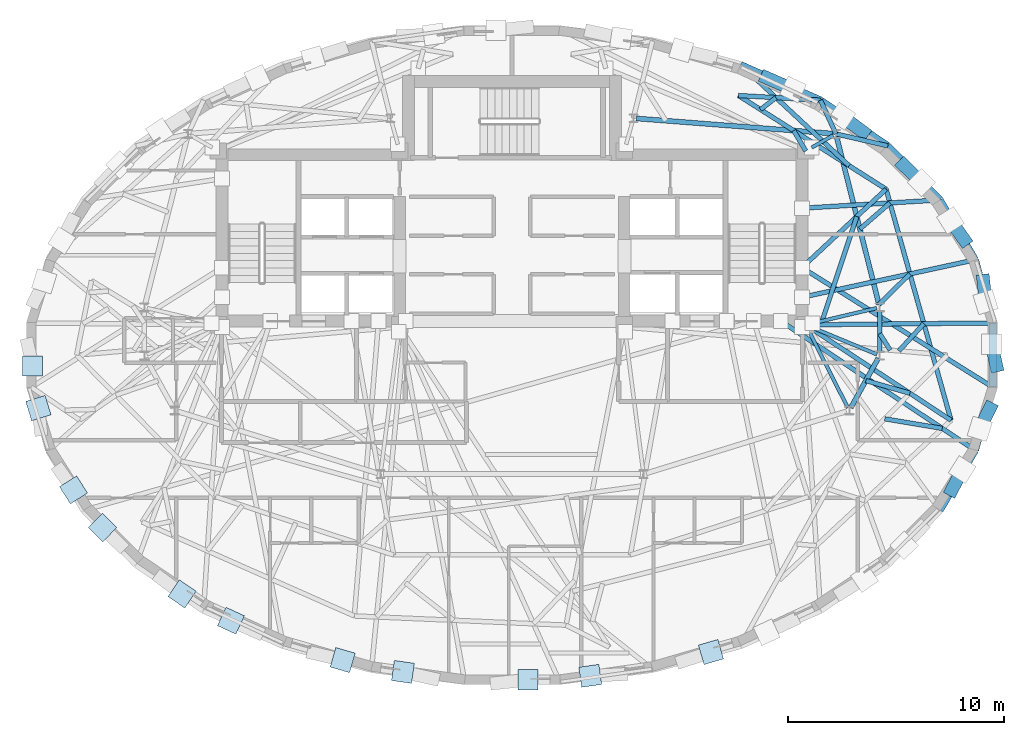
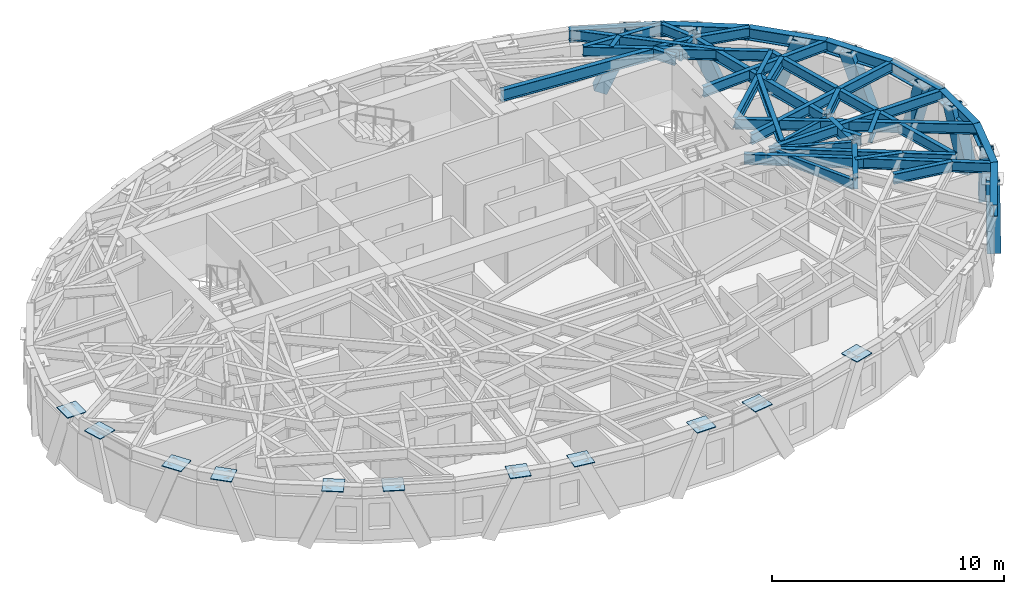
# One storey, part 4 of 12: 38 beams, 11 plates, 8 members.
"""IFC4 building model written with IfcOpenShell, lengths in metres."""

from ifc_helpers import new_model, si_unit, direction, frame, origin, origin_2d, place, context, subcontext, project, spatial, rectangle, hollow_rectangle, i_section, extrude, material, layer, layer_set, material_profile, profile_set, type_object, element, save


model = new_model("IFC4")

# Units and contexts
model_context = context("Model", 3, precision=1e-05, world=origin(), true_north=direction((0.0, 1.0)))
body_context = subcontext(model_context, "Body", "Model", "MODEL_VIEW")
ifc_project = project(units=[si_unit("LENGTHUNIT", "METRE"), si_unit("AREAUNIT", "SQUARE_METRE"), si_unit("VOLUMEUNIT", "CUBIC_METRE"), si_unit("PLANEANGLEUNIT", "RADIAN"), si_unit("MASSUNIT", "GRAM", prefix="KILO")], contexts=[model_context])

# Site, building, storey
site_placement = place(None, origin())
site = spatial("IfcSite", under=ifc_project, at=site_placement, CompositionType="ELEMENT")
building_placement = place(site_placement, origin())
building = spatial("IfcBuilding", under=site, at=building_placement, Name="Keldmark Tower", CompositionType="ELEMENT")
storey_placement = place(building_placement, frame((0.0, 0.0, 228.89990234375)))
storey = spatial("IfcBuildingStorey", under=building, at=storey_placement, Name="L64", CompositionType="ELEMENT", Elevation=228.89990234375)

# Members
ifc_material_1 = material(Name="Steel ASTM A572 Grade 50", Category="steel")
ifc_material_profile_1 = material_profile(ifc_material_1, hollow_rectangle(XDim=0.60009765625, YDim=0.60009765625, WallThickness=0.034912109375, at=origin_2d()), Name="BOX600X600X35")
ifc_profile_set_1 = profile_set([ifc_material_profile_1], Name="Steel ASTM A572 Grade 50")
member_type = type_object("IfcMemberType", Name="Diagrid Zone 4 Brace BOX600X600X35", PredefinedType="BRACE", material=ifc_profile_set_1)
member_1_placement = place(storey_placement, frame((21.820068359375, 3.453857421875, -0.260009765625), z_axis=(0.033243047941, -0.305387820185, 0.951647612852), x_axis=(0.994127413217, 0.108215924384, 0.0)))
element("IfcMember", 1, at=member_1_placement, inside=storey, type_object=member_type, Name="L64 Perimeter Diagrid Brace 01A", PredefinedType="BRACE", context=body_context, shape_type="SweptSolid", body=[
    extrude(hollow_rectangle(XDim=0.60009765625, YDim=0.60009765625, WallThickness=0.034912109375, at=origin_2d()), origin(), (0.0, 0.0, 1.0), 3.26806640625),
])
member_2_placement = place(storey_placement, frame((20.939453125, 5.33837890625, -0.260009765625), z_axis=(-0.193196922491, 0.273597020021, 0.942241805364), x_axis=(-0.816869929118, -0.57682191264, 0.0)))
element("IfcMember", 2, at=member_2_placement, inside=storey, type_object=member_type, Name="L64 Perimeter Diagrid Brace 01B", PredefinedType="BRACE", context=body_context, shape_type="SweptSolid", body=[
    extrude(hollow_rectangle(XDim=0.60009765625, YDim=0.60009765625, WallThickness=0.034912109375, at=origin_2d()), origin(), (0.0, 0.0, 1.0), 3.30078125),
])
member_3_placement = place(storey_placement, frame((18.126953125, 8.806396484375, -0.260009765625), z_axis=(0.250269331874, -0.246300302823, 0.936323353523), x_axis=(0.701432545153, 0.712735844896, 0.0)))
element("IfcMember", 3, at=member_3_placement, inside=storey, type_object=member_type, Name="L64 Perimeter Diagrid Brace 02A", PredefinedType="BRACE", context=body_context, shape_type="SweptSolid", body=[
    extrude(hollow_rectangle(XDim=0.60009765625, YDim=0.60009765625, WallThickness=0.034912109375, at=origin_2d()), origin(), (0.0, 0.0, 1.0), 3.321533203125),
])
member_4_placement = place(storey_placement, frame((16.268310546875, 10.322265625, -0.260009765625), z_axis=(-0.296561695455, 0.219813133679, 0.929372555572), x_axis=(-0.595468569724, -0.803378604689, 0.0)))
element("IfcMember", 4, at=member_4_placement, inside=storey, type_object=member_type, Name="L64 Perimeter Diagrid Brace 02B", PredefinedType="BRACE", context=body_context, shape_type="SweptSolid", body=[
    extrude(hollow_rectangle(XDim=0.60009765625, YDim=0.60009765625, WallThickness=0.034912109375, at=origin_2d()), origin(), (0.0, 0.0, 1.0), 3.346435546875),
])
member_5_placement = place(storey_placement, frame((11.77685546875, 12.84375, -0.260009765625), z_axis=(0.364814117279, -0.16026765839, 0.917183153742), x_axis=(0.402211742403, 0.915546675093, 0.0)))
element("IfcMember", 5, at=member_5_placement, inside=storey, type_object=member_type, Name="L64 Perimeter Diagrid Brace 03A", PredefinedType="BRACE", context=body_context, shape_type="SweptSolid", body=[
    extrude(hollow_rectangle(XDim=0.60009765625, YDim=0.60009765625, WallThickness=0.034912109375, at=origin_2d()), origin(), (0.0, 0.0, 1.0), 3.390869140625),
])
member_6_placement = place(storey_placement, frame((20.363525390625, -6.24462890625, -0.260009765625), z_axis=(0.148062776299, 0.285496548075, 0.946873347028), x_axis=(-0.887719549049, 0.46038462424, 0.0)))
element("IfcMember", 6, at=member_6_placement, inside=storey, type_object=member_type, Name="L64 Perimeter Diagrid Brace 15B", PredefinedType="BRACE", context=body_context, shape_type="SweptSolid", body=[
    extrude(hollow_rectangle(XDim=0.60009765625, YDim=0.60009765625, WallThickness=0.034912109375, at=origin_2d()), origin(), (0.0, 0.0, 1.0), 3.28466796875),
])
member_7_placement = place(storey_placement, frame((22.12451171875, -2.46337890625, -0.260009765625), z_axis=(-0.141358796309, -0.290814339228, 0.946279404196), x_axis=(0.89937914481, -0.437169479585, 0.0)))
element("IfcMember", 7, at=member_7_placement, inside=storey, type_object=member_type, Name="L64 Perimeter Diagrid Brace 16A", PredefinedType="BRACE", context=body_context, shape_type="SweptSolid", body=[
    extrude(hollow_rectangle(XDim=0.60009765625, YDim=0.60009765625, WallThickness=0.034912109375, at=origin_2d()), origin(), (0.0, 0.0, 1.0), 3.28662109375),
])
member_8_placement = place(storey_placement, frame((22.424560546875, -0.49462890625, -0.260009765625), z_axis=(-0.06868989511, 0.30429399788, 0.950098342891), x_axis=(-0.975455912888, -0.220194827395, 0.0)))
element("IfcMember", 8, at=member_8_placement, inside=storey, type_object=member_type, Name="L64 Perimeter Diagrid Brace 16B", PredefinedType="BRACE", context=body_context, shape_type="SweptSolid", body=[
    extrude(hollow_rectangle(XDim=0.60009765625, YDim=0.60009765625, WallThickness=0.034912109375, at=origin_2d()), origin(), (0.0, 0.0, 1.0), 3.2734375),
])

# Beams
ifc_material_2 = material(Name="Steel ASTM A992 Grade 50", Category="steel")
ifc_material_profile_2 = material_profile(ifc_material_2, i_section(OverallWidth=0.22802734375, OverallDepth=0.60302734375, WebThickness=0.010498046875, FlangeThickness=0.014892578125, at=origin_2d()), Name="W24X68")
ifc_profile_set_2 = profile_set([ifc_material_profile_2], Name="Steel ASTM A992 Grade 50")
beam_type_1 = type_object("IfcBeamType", Name="Primary Floor Girder W24X68", PredefinedType="BEAM", material=ifc_profile_set_2)
beam_1_placement = place(storey_placement, frame((16.9912109375, 2.34375, 2.668701171875), z_axis=(-0.244902129455, 0.969547805417, 0.0), x_axis=(-0.969547805417, -0.244902129455, 0.0)))
element("IfcBeam", 9, at=beam_1_placement, inside=storey, type_object=beam_type_1, Name="L64 Floor Ring Girder FG-R01", PredefinedType="BEAM", context=body_context, shape_type="SweptSolid", body=[
    extrude(i_section(OverallWidth=0.22802734375, OverallDepth=0.60302734375, WebThickness=0.010498046875, FlangeThickness=0.014892578125, at=origin_2d()), origin(), (0.0, 0.0, 1.0), 8.008056640625),
])
beam_2_placement = place(storey_placement, frame((14.856201171875, 10.25439453125, 2.668701171875), z_axis=(-0.997037147832, 0.076921556421, 0.0), x_axis=(-0.076921556421, -0.997037147832, 0.0)))
element("IfcBeam", 10, at=beam_2_placement, inside=storey, type_object=beam_type_1, Name="L64 Floor Ring Girder FG-R02", PredefinedType="BEAM", context=body_context, shape_type="SweptSolid", body=[
    extrude(i_section(OverallWidth=0.22802734375, OverallDepth=0.60302734375, WebThickness=0.010498046875, FlangeThickness=0.014892578125, at=origin_2d()), origin(), (0.0, 0.0, 1.0), 9.125),
])
beam_3_placement = place(storey_placement, frame((15.68408203125, -2.44482421875, 2.668701171875), z_axis=(0.484719680408, 0.874669555561, 0.0), x_axis=(-0.874669555561, 0.484719680408, 0.0)))
element("IfcBeam", 11, at=beam_3_placement, inside=storey, type_object=beam_type_1, Name="L64 Floor Ring Girder FG-R11", PredefinedType="BEAM", context=body_context, shape_type="SweptSolid", body=[
    extrude(i_section(OverallWidth=0.22802734375, OverallDepth=0.60302734375, WebThickness=0.010498046875, FlangeThickness=0.014892578125, at=origin_2d()), origin(), (0.0, 0.0, 1.0), 2.627685546875),
])
beam_4_placement = place(storey_placement, frame((17.025634765625, 0.115966796875, 2.668701171875), z_axis=(0.0, 1.0, 0.0), x_axis=(-1.0, 0.0, 0.0)))
element("IfcBeam", 12, at=beam_4_placement, inside=storey, type_object=beam_type_1, Name="L64 Floor Ring Girder FG-R12", PredefinedType="BEAM", context=body_context, shape_type="SweptSolid", body=[
    extrude(i_section(OverallWidth=0.22802734375, OverallDepth=0.60302734375, WebThickness=0.010498046875, FlangeThickness=0.014892578125, at=origin_2d()), origin(), (0.0, 0.0, 1.0), 1.9521484375),
])
ifc_material_3 = material(Name="Steel ASTM A992 Grade 50", Category="steel")
ifc_material_profile_3 = material_profile(ifc_material_3, i_section(OverallWidth=0.166015625, OverallDepth=0.529052734375, WebThickness=0.009765625, FlangeThickness=0.013671875, at=origin_2d()), Name="W21X50")
ifc_profile_set_3 = profile_set([ifc_material_profile_3], Name="Steel ASTM A992 Grade 50")
beam_type_2 = type_object("IfcBeamType", Name="Radial Tie Girder W21X50", PredefinedType="BEAM", material=ifc_profile_set_3)
beam_5_placement = place(storey_placement, frame((16.889404296875, 2.17578125, 2.70556640625), z_axis=(-0.97329039005, -0.229577474147, 0.0), x_axis=(0.229577474147, -0.97329039005, 0.0)))
element("IfcBeam", 13, at=beam_5_placement, inside=storey, type_object=beam_type_2, Name="L64 Floor Radial Girder FG-C01", PredefinedType="BEAM", context=body_context, shape_type="SweptSolid", body=[
    extrude(i_section(OverallWidth=0.166015625, OverallDepth=0.529052734375, WebThickness=0.009765625, FlangeThickness=0.013671875, at=origin_2d()), origin(), (0.0, 0.0, 1.0), 3.0595703125),
])
beam_6_placement = place(storey_placement, frame((14.8740234375, 10.174560546875, 2.70556640625), z_axis=(-0.869238046195, -0.494393789451, 0.0), x_axis=(0.494393789451, -0.869238046195, 0.0)))
element("IfcBeam", 14, at=beam_6_placement, inside=storey, type_object=beam_type_2, Name="L64 Floor Radial Girder FG-C02", PredefinedType="BEAM", context=body_context, shape_type="SweptSolid", body=[
    extrude(i_section(OverallWidth=0.166015625, OverallDepth=0.529052734375, WebThickness=0.009765625, FlangeThickness=0.013671875, at=origin_2d()), origin(), (0.0, 0.0, 1.0), 1.145751953125),
])
beam_7_placement = place(storey_placement, frame((15.552734375, -2.442626953125, 2.70556640625), z_axis=(-0.453004410574, 0.89150827478, 0.0), x_axis=(-0.89150827478, -0.453004410574, 0.0)))
element("IfcBeam", 15, at=beam_7_placement, inside=storey, type_object=beam_type_2, Name="L64 Floor Radial Girder FG-C11", PredefinedType="BEAM", context=body_context, shape_type="SweptSolid", body=[
    extrude(i_section(OverallWidth=0.166015625, OverallDepth=0.529052734375, WebThickness=0.009765625, FlangeThickness=0.013671875, at=origin_2d()), origin(), (0.0, 0.0, 1.0), 3.990234375),
])
beam_8_placement = place(storey_placement, frame((16.896240234375, 0.02978515625, 2.70556640625), z_axis=(-0.923403331902, 0.383831065226, 0.0), x_axis=(-0.383831065226, -0.923403331902, 0.0)))
element("IfcBeam", 16, at=beam_8_placement, inside=storey, type_object=beam_type_2, Name="L64 Floor Radial Girder FG-C12", PredefinedType="BEAM", context=body_context, shape_type="SweptSolid", body=[
    extrude(i_section(OverallWidth=0.166015625, OverallDepth=0.529052734375, WebThickness=0.009765625, FlangeThickness=0.013671875, at=origin_2d()), origin(), (0.0, 0.0, 1.0), 3.249755859375),
])
ifc_material_4 = material(Name="Steel ASTM A992 Grade 50", Category="steel")
ifc_material_profile_4 = material_profile(ifc_material_4, i_section(OverallWidth=0.2099609375, OverallDepth=0.537109375, WebThickness=0.010986328125, FlangeThickness=0.017333984375, at=origin_2d()), Name="W21X68")
ifc_profile_set_4 = profile_set([ifc_material_profile_4], Name="Steel ASTM A992 Grade 50")
beam_type_3 = type_object("IfcBeamType", Name="Radial Tie Girder W21X68", PredefinedType="BEAM", material=ifc_profile_set_4)
beam_9_placement = place(storey_placement, frame((17.025634765625, 0.994384765625, 2.70166015625), z_axis=(0.533027996097, -0.846097603931, 0.0), x_axis=(0.846097603931, 0.533027996097, 0.0)))
element("IfcBeam", 17, at=beam_9_placement, inside=storey, type_object=beam_type_3, Name="L64 Framing Pin Header PH-006", PredefinedType="BEAM", context=body_context, shape_type="SweptSolid", body=[
    extrude(i_section(OverallWidth=0.2099609375, OverallDepth=0.537109375, WebThickness=0.010986328125, FlangeThickness=0.017333984375, at=origin_2d()), origin(), (0.0, 0.0, 1.0), 0.904541015625),
])
beam_10_placement = place(storey_placement, frame((14.358154296875, 1.578857421875, 2.70166015625), z_axis=(0.314948136433, 0.949108882772, 0.0), x_axis=(-0.949108882772, 0.314948136433, 0.0)))
element("IfcBeam", 18, at=beam_10_placement, inside=storey, type_object=beam_type_3, Name="L64 Framing Pin Header PH-007", PredefinedType="BEAM", context=body_context, shape_type="SweptSolid", body=[
    extrude(i_section(OverallWidth=0.2099609375, OverallDepth=0.537109375, WebThickness=0.010986328125, FlangeThickness=0.017333984375, at=origin_2d()), origin(), (0.0, 0.0, 1.0), 5.09521484375),
])
beam_11_placement = place(storey_placement, frame((13.425048828125, 4.050048828125, 2.70166015625), z_axis=(0.731628226605, 0.681703849215, 0.0), x_axis=(-0.681703849215, 0.731628226605, 0.0)))
element("IfcBeam", 19, at=beam_11_placement, inside=storey, type_object=beam_type_3, Name="L64 Sub-Ring Step Girder STP2-M01", PredefinedType="BEAM", context=body_context, shape_type="SweptSolid", body=[
    extrude(i_section(OverallWidth=0.2099609375, OverallDepth=0.537109375, WebThickness=0.010986328125, FlangeThickness=0.017333984375, at=origin_2d()), origin(), (0.0, 0.0, 1.0), 5.325439453125),
])
beam_12_placement = place(storey_placement, frame((16.384521484375, -1.180908203125, 2.70166015625), z_axis=(0.960843624948, -0.277091191482, 0.0), x_axis=(0.277091191482, 0.960843624948, 0.0)))
element("IfcBeam", 20, at=beam_12_placement, inside=storey, type_object=beam_type_3, Name="L64 Framing Pin Header PH-012", PredefinedType="BEAM", context=body_context, shape_type="SweptSolid", body=[
    extrude(i_section(OverallWidth=0.2099609375, OverallDepth=0.537109375, WebThickness=0.010986328125, FlangeThickness=0.017333984375, at=origin_2d()), origin(), (0.0, 0.0, 1.0), 2.12158203125),
])
beam_13_placement = place(storey_placement, frame((13.60009765625, 1.39990234375, 2.70166015625), z_axis=(0.835768705705, -0.549081661107, 0.0), x_axis=(0.549081661107, 0.835768705705, 0.0)))
element("IfcBeam", 21, at=beam_13_placement, inside=storey, type_object=beam_type_3, Name="L64 Sub-Ring Step Girder STP2-M12", PredefinedType="BEAM", context=body_context, shape_type="SweptSolid", body=[
    extrude(i_section(OverallWidth=0.2099609375, OverallDepth=0.537109375, WebThickness=0.010986328125, FlangeThickness=0.017333984375, at=origin_2d()), origin(), (0.0, 0.0, 1.0), 8.050048828125),
])
beam_14_placement = place(storey_placement, frame((20.328125, -3.020263671875, 2.70166015625), z_axis=(-0.270517851545, 0.962714958851, 0.0), x_axis=(-0.962714958851, -0.270517851545, 0.0)))
element("IfcBeam", 22, at=beam_14_placement, inside=storey, type_object=beam_type_3, Name="L64 Perimeter Collector Ring Beam CRG2-M12", PredefinedType="BEAM", context=body_context, shape_type="SweptSolid", body=[
    extrude(i_section(OverallWidth=0.2099609375, OverallDepth=0.537109375, WebThickness=0.010986328125, FlangeThickness=0.017333984375, at=origin_2d()), origin(), (0.0, 0.0, 1.0), 11.114990234375),
])
beam_15_placement = place(storey_placement, frame((17.915283203125, 0.193603515625, 2.70166015625), z_axis=(0.675530710763, 0.737331851215, 0.0), x_axis=(-0.737331851215, 0.675530710763, 0.0)))
element("IfcBeam", 23, at=beam_15_placement, inside=storey, type_object=beam_type_3, Name="L64 Framing Pin Header PH-013", PredefinedType="BEAM", context=body_context, shape_type="SweptSolid", body=[
    extrude(i_section(OverallWidth=0.2099609375, OverallDepth=0.537109375, WebThickness=0.010986328125, FlangeThickness=0.017333984375, at=origin_2d()), origin(), (0.0, 0.0, 1.0), 1.71044921875),
])
beam_16_placement = place(storey_placement, frame((13.60009765625, 1.39990234375, 2.70166015625), z_axis=(0.999949630947, 0.010036711081, 0.0), x_axis=(-0.010036711081, 0.999949630947, 0.0)))
element("IfcBeam", 24, at=beam_16_placement, inside=storey, type_object=beam_type_3, Name="L64 Perimeter Radial Tie Girder RT-01", PredefinedType="BEAM", context=body_context, shape_type="SweptSolid", body=[
    extrude(i_section(OverallWidth=0.2099609375, OverallDepth=0.537109375, WebThickness=0.010986328125, FlangeThickness=0.017333984375, at=origin_2d()), origin(), (0.0, 0.0, 1.0), 8.65966796875),
])
beam_17_placement = place(storey_placement, frame((16.9912109375, 2.34375, 2.70166015625), z_axis=(0.711821877306, 0.702360032311, 0.0), x_axis=(-0.702360032311, 0.711821877306, 0.0)))
element("IfcBeam", 25, at=beam_17_placement, inside=storey, type_object=beam_type_3, Name="L64 Framing Pin Header PH-014", PredefinedType="BEAM", context=body_context, shape_type="SweptSolid", body=[
    extrude(i_section(OverallWidth=0.2099609375, OverallDepth=0.537109375, WebThickness=0.010986328125, FlangeThickness=0.017333984375, at=origin_2d()), origin(), (0.0, 0.0, 1.0), 2.0126953125),
])
beam_18_placement = place(storey_placement, frame((13.425048828125, 2.675048828125, 2.70166015625), z_axis=(0.97735883169, 0.211588549118, 0.0), x_axis=(-0.211588549118, 0.97735883169, 0.0)))
element("IfcBeam", 26, at=beam_18_placement, inside=storey, type_object=beam_type_3, Name="L64 Perimeter Radial Tie Girder RT-02", PredefinedType="BEAM", context=body_context, shape_type="SweptSolid", body=[
    extrude(i_section(OverallWidth=0.2099609375, OverallDepth=0.537109375, WebThickness=0.010986328125, FlangeThickness=0.017333984375, at=origin_2d()), origin(), (0.0, 0.0, 1.0), 8.207275390625),
])
beam_19_placement = place(storey_placement, frame((16.10888671875, 5.837646484375, 2.70166015625), z_axis=(0.755566585606, 0.65507185462, 0.0), x_axis=(-0.65507185462, 0.755566585606, 0.0)))
element("IfcBeam", 27, at=beam_19_placement, inside=storey, type_object=beam_type_3, Name="L64 Framing Pin Header PH-015", PredefinedType="BEAM", context=body_context, shape_type="SweptSolid", body=[
    extrude(i_section(OverallWidth=0.2099609375, OverallDepth=0.537109375, WebThickness=0.010986328125, FlangeThickness=0.017333984375, at=origin_2d()), origin(), (0.0, 0.0, 1.0), 1.841552734375),
])
beam_20_placement = place(storey_placement, frame((13.425048828125, 6.800048828125, 2.70166015625), z_axis=(0.998212816462, 0.059759292584, 0.0), x_axis=(-0.059759292584, 0.998212816462, 0.0)))
element("IfcBeam", 28, at=beam_20_placement, inside=storey, type_object=beam_type_3, Name="L64 Perimeter Radial Tie Girder RT-03", PredefinedType="BEAM", context=body_context, shape_type="SweptSolid", body=[
    extrude(i_section(OverallWidth=0.2099609375, OverallDepth=0.537109375, WebThickness=0.010986328125, FlangeThickness=0.017333984375, at=origin_2d()), origin(), (0.0, 0.0, 1.0), 6.40185546875),
])
beam_21_placement = place(storey_placement, frame((14.995849609375, 10.24365234375, 2.70166015625), z_axis=(0.974134108933, -0.225970656976, 0.0), x_axis=(0.225970656976, 0.974134108933, 0.0)))
element("IfcBeam", 29, at=beam_21_placement, inside=storey, type_object=beam_type_3, Name="L64 Perimeter Column Bracket RT-04", PredefinedType="BEAM", context=body_context, shape_type="SweptSolid", body=[
    extrude(i_section(OverallWidth=0.2099609375, OverallDepth=0.537109375, WebThickness=0.010986328125, FlangeThickness=0.017333984375, at=origin_2d()), origin(), (0.0, 0.0, 1.0), 2.470947265625),
])
beam_22_placement = place(storey_placement, frame((14.995849609375, 10.24365234375, 2.70166015625), z_axis=(-0.41658112368, 0.90909854658, 0.0), x_axis=(-0.90909854658, -0.41658112368, 0.0)))
element("IfcBeam", 30, at=beam_22_placement, inside=storey, type_object=beam_type_3, Name="L64 Perimeter Column Bracket RT-05", PredefinedType="BEAM", context=body_context, shape_type="SweptSolid", body=[
    extrude(i_section(OverallWidth=0.2099609375, OverallDepth=0.537109375, WebThickness=0.010986328125, FlangeThickness=0.017333984375, at=origin_2d()), origin(), (0.0, 0.0, 1.0), 1.713623046875),
])
beam_23_placement = place(storey_placement, frame((13.60009765625, 9.449951171875, 2.70166015625), z_axis=(-0.507963836752, 0.861378395685, 0.0), x_axis=(-0.861378395685, -0.507963836752, 0.0)))
element("IfcBeam", 31, at=beam_23_placement, inside=storey, type_object=beam_type_3, Name="L64 Framing Pin Header PH-016", PredefinedType="BEAM", context=body_context, shape_type="SweptSolid", body=[
    extrude(i_section(OverallWidth=0.2099609375, OverallDepth=0.537109375, WebThickness=0.010986328125, FlangeThickness=0.017333984375, at=origin_2d()), origin(), (0.0, 0.0, 1.0), 1.09619140625),
])
beam_24_placement = place(storey_placement, frame((17.3212890625, 7.680419921875, 2.70166015625), z_axis=(-0.844431424913, 0.535663671178, 0.0), x_axis=(-0.535663671178, -0.844431424913, 0.0)))
element("IfcBeam", 32, at=beam_24_placement, inside=storey, type_object=beam_type_3, Name="L64 Intermediate Radial Step Girder RT-06M", PredefinedType="BEAM", context=body_context, shape_type="SweptSolid", body=[
    extrude(i_section(OverallWidth=0.2099609375, OverallDepth=0.537109375, WebThickness=0.010986328125, FlangeThickness=0.017333984375, at=origin_2d()), origin(), (0.0, 0.0, 1.0), 8.09912109375),
])
beam_25_placement = place(storey_placement, frame((14.281982421875, 11.801513671875, 2.70166015625), z_axis=(-0.998369037093, 0.057089979633, 0.0), x_axis=(-0.057089979633, -0.998369037093, 0.0)))
element("IfcBeam", 33, at=beam_25_placement, inside=storey, type_object=beam_type_3, Name="L64 Local Collector Chord RT-06C", PredefinedType="BEAM", context=body_context, shape_type="SweptSolid", body=[
    extrude(i_section(OverallWidth=0.2099609375, OverallDepth=0.537109375, WebThickness=0.010986328125, FlangeThickness=0.017333984375, at=origin_2d()), origin(), (0.0, 0.0, 1.0), 3.805908203125),
])
beam_26_placement = place(storey_placement, frame((11.508056640625, 11.3681640625, 2.70166015625), z_axis=(0.791909345829, 0.610638672202, 0.0), x_axis=(-0.610638672202, 0.791909345829, 0.0)))
element("IfcBeam", 34, at=beam_26_placement, inside=storey, type_object=beam_type_3, Name="L64 Framing Pin Header PH-017", PredefinedType="BEAM", context=body_context, shape_type="SweptSolid", body=[
    extrude(i_section(OverallWidth=0.2099609375, OverallDepth=0.537109375, WebThickness=0.010986328125, FlangeThickness=0.017333984375, at=origin_2d()), origin(), (0.0, 0.0, 1.0), 0.90234375),
])
beam_27_placement = place(storey_placement, frame((15.611572265625, 8.764892578125, 2.70166015625), z_axis=(-0.731981514109, 0.681324491709, 0.0), x_axis=(-0.681324491709, -0.731981514109, 0.0)))
element("IfcBeam", 35, at=beam_27_placement, inside=storey, type_object=beam_type_3, Name="L64 Perimeter Radial Tie Girder RT-06", PredefinedType="BEAM", context=body_context, shape_type="SweptSolid", body=[
    extrude(i_section(OverallWidth=0.2099609375, OverallDepth=0.537109375, WebThickness=0.010986328125, FlangeThickness=0.017333984375, at=origin_2d()), origin(), (0.0, 0.0, 1.0), 6.858154296875),
])
beam_28_placement = place(storey_placement, frame((17.26171875, -2.950927734375, 2.70166015625), z_axis=(0.986192637827, -0.165602177209, 0.0), x_axis=(0.165602177209, 0.986192637827, 0.0)))
element("IfcBeam", 36, at=beam_28_placement, inside=storey, type_object=beam_type_3, Name="L64 Framing Pin Header PH-035", PredefinedType="BEAM", context=body_context, shape_type="SweptSolid", body=[
    extrude(i_section(OverallWidth=0.2099609375, OverallDepth=0.537109375, WebThickness=0.010986328125, FlangeThickness=0.017333984375, at=origin_2d()), origin(), (0.0, 0.0, 1.0), 2.697998046875),
])
beam_29_placement = place(storey_placement, frame((12.4462890625, 1.574951171875, 2.70166015625), z_axis=(0.832630123585, -0.5538294659, 0.0), x_axis=(0.5538294659, 0.832630123585, 0.0)))
element("IfcBeam", 37, at=beam_29_placement, inside=storey, type_object=beam_type_3, Name="L64 Perimeter Radial Tie Girder RT-31", PredefinedType="BEAM", context=body_context, shape_type="SweptSolid", body=[
    extrude(i_section(OverallWidth=0.2099609375, OverallDepth=0.537109375, WebThickness=0.010986328125, FlangeThickness=0.017333984375, at=origin_2d()), origin(), (0.0, 0.0, 1.0), 10.809326171875),
])
beam_30_placement = place(storey_placement, frame((13.425048828125, 4.050048828125, 2.70166015625), z_axis=(0.847330653303, -0.53106568706, 0.0), x_axis=(0.53106568706, 0.847330653303, 0.0)))
element("IfcBeam", 38, at=beam_30_placement, inside=storey, type_object=beam_type_3, Name="L64 Perimeter Radial Tie Girder RT-32", PredefinedType="BEAM", context=body_context, shape_type="SweptSolid", body=[
    extrude(i_section(OverallWidth=0.2099609375, OverallDepth=0.537109375, WebThickness=0.010986328125, FlangeThickness=0.017333984375, at=origin_2d()), origin(), (0.0, 0.0, 1.0), 10.426025390625),
])
ifc_material_5 = material(Name="Steel ASTM A992 Grade 50", Category="steel")
ifc_material_profile_5 = material_profile(ifc_material_5, i_section(OverallWidth=0.326904296875, OverallDepth=0.6220703125, WebThickness=0.015380859375, FlangeThickness=0.0244140625, at=origin_2d()), Name="W24X131")
ifc_profile_set_5 = profile_set([ifc_material_profile_5], Name="Steel ASTM A992 Grade 50")
beam_type_4 = type_object("IfcBeamType", Name="Spandrel Ring Beam W24X131", PredefinedType="SPANDREL", material=ifc_profile_set_5)
beam_31_placement = place(storey_placement, frame((22.25927734375, 1.48681640625, 2.6591796875), z_axis=(-0.26773511856, 0.963492556427, 0.0), x_axis=(-0.963492556427, -0.26773511856, 0.0)))
element("IfcBeam", 39, at=beam_31_placement, inside=storey, type_object=beam_type_4, Name="L64 Perimeter Spandrel Ring Beam SRB-01", PredefinedType="SPANDREL", context=body_context, shape_type="SweptSolid", body=[
    extrude(i_section(OverallWidth=0.326904296875, OverallDepth=0.6220703125, WebThickness=0.015380859375, FlangeThickness=0.0244140625, at=origin_2d()), origin(), (0.0, 0.0, 1.0), 3.03564453125),
])
beam_32_placement = place(storey_placement, frame((21.446533203125, 4.41162109375, 2.6591796875), z_axis=(-0.507275605256, 0.861783882601, 0.0), x_axis=(-0.861783882601, -0.507275605256, 0.0)))
element("IfcBeam", 40, at=beam_32_placement, inside=storey, type_object=beam_type_4, Name="L64 Perimeter Spandrel Ring Beam SRB-02", PredefinedType="SPANDREL", context=body_context, shape_type="SweptSolid", body=[
    extrude(i_section(OverallWidth=0.326904296875, OverallDepth=0.6220703125, WebThickness=0.015380859375, FlangeThickness=0.0244140625, at=origin_2d()), origin(), (0.0, 0.0, 1.0), 3.21533203125),
])
beam_33_placement = place(storey_placement, frame((19.8154296875, 7.1826171875, 2.6591796875), z_axis=(-0.694030285144, 0.71994580581, 0.0), x_axis=(-0.71994580581, -0.694030285144, 0.0)))
element("IfcBeam", 41, at=beam_33_placement, inside=storey, type_object=beam_type_4, Name="L64 Perimeter Spandrel Ring Beam SRB-03", PredefinedType="SPANDREL", context=body_context, shape_type="SweptSolid", body=[
    extrude(i_section(OverallWidth=0.326904296875, OverallDepth=0.6220703125, WebThickness=0.015380859375, FlangeThickness=0.0244140625, at=origin_2d()), origin(), (0.0, 0.0, 1.0), 3.476318359375),
])
beam_34_placement = place(storey_placement, frame((17.40283203125, 9.685302734375, 2.6591796875), z_axis=(-0.827661601168, 0.561227470775, 0.0), x_axis=(-0.561227470775, -0.827661601168, 0.0)))
element("IfcBeam", 42, at=beam_34_placement, inside=storey, type_object=beam_type_4, Name="L64 Perimeter Spandrel Ring Beam SRB-04", PredefinedType="SPANDREL", context=body_context, shape_type="SweptSolid", body=[
    extrude(i_section(OverallWidth=0.326904296875, OverallDepth=0.6220703125, WebThickness=0.015380859375, FlangeThickness=0.0244140625, at=origin_2d()), origin(), (0.0, 0.0, 1.0), 3.770751953125),
])
beam_35_placement = place(storey_placement, frame((14.281982421875, 11.801513671875, 2.6591796875), z_axis=(-0.914197700285, 0.405268509501, 0.0), x_axis=(-0.405268509501, -0.914197700285, 0.0)))
element("IfcBeam", 43, at=beam_35_placement, inside=storey, type_object=beam_type_4, Name="L64 Perimeter Spandrel Ring Beam SRB-05", PredefinedType="SPANDREL", context=body_context, shape_type="SweptSolid", body=[
    extrude(i_section(OverallWidth=0.326904296875, OverallDepth=0.6220703125, WebThickness=0.015380859375, FlangeThickness=0.0244140625, at=origin_2d()), origin(), (0.0, 0.0, 1.0), 4.036865234375),
])
beam_36_placement = place(storey_placement, frame((19.8154296875, -7.1826171875, 2.6591796875), z_axis=(0.507275605256, 0.861783882601, 0.0), x_axis=(-0.861783882601, 0.507275605256, 0.0)))
element("IfcBeam", 44, at=beam_36_placement, inside=storey, type_object=beam_type_4, Name="L64 Perimeter Spandrel Ring Beam SRB-30", PredefinedType="SPANDREL", context=body_context, shape_type="SweptSolid", body=[
    extrude(i_section(OverallWidth=0.326904296875, OverallDepth=0.6220703125, WebThickness=0.015380859375, FlangeThickness=0.0244140625, at=origin_2d()), origin(), (0.0, 0.0, 1.0), 3.21533203125),
])
beam_37_placement = place(storey_placement, frame((21.446533203125, -4.41162109375, 2.6591796875), z_axis=(0.26773511856, 0.963492556427, 0.0), x_axis=(-0.963492556427, 0.26773511856, 0.0)))
element("IfcBeam", 45, at=beam_37_placement, inside=storey, type_object=beam_type_4, Name="L64 Perimeter Spandrel Ring Beam SRB-31", PredefinedType="SPANDREL", context=body_context, shape_type="SweptSolid", body=[
    extrude(i_section(OverallWidth=0.326904296875, OverallDepth=0.6220703125, WebThickness=0.015380859375, FlangeThickness=0.0244140625, at=origin_2d()), origin(), (0.0, 0.0, 1.0), 3.03564453125),
])
beam_38_placement = place(storey_placement, frame((22.25927734375, -1.48681640625, 2.6591796875), z_axis=(0.0, 1.0, 0.0), x_axis=(-1.0, 0.0, 0.0)))
element("IfcBeam", 46, at=beam_38_placement, inside=storey, type_object=beam_type_4, Name="L64 Perimeter Spandrel Ring Beam SRB-32", PredefinedType="SPANDREL", context=body_context, shape_type="SweptSolid", body=[
    extrude(i_section(OverallWidth=0.326904296875, OverallDepth=0.6220703125, WebThickness=0.015380859375, FlangeThickness=0.0244140625, at=origin_2d()), origin(), (0.0, 0.0, 1.0), 2.9736328125),
])

# Plates
ifc_material_6 = material(Name="Steel ASTM A572 Grade 50", Category="steel")
ifc_layer = layer(ifc_material_6, 0.0400390625)
ifc_layer_set = layer_set([ifc_layer], Name="Steel ASTM A572 Grade 50")
plate_type = type_object("IfcPlateType", Name="Diagrid Node Assembly DN05 40 mm", PredefinedType="USERDEFINED", material=ifc_layer_set)
for number, where, z_axis, x_axis, name in (
    (47, (-22.19970703125, -0.50146484375, 2.830078125), (0.0, 0.0, 1.0), (0.0, -1.0, 0.0), "L64 Diagrid Node Assembly 16"),
    (48, (-21.9287109375, -2.455810546875, 2.830078125), (0.0, 0.0, 1.0), (0.295041067928, -0.955484572474, 0.0), "L64 Diagrid Node Assembly 17"),
    (49, (-20.3017578125, -6.241455078125, 2.830078125), (0.0, 0.0, 1.0), (0.534942323205, -0.844888578952, 0.0), "L64 Diagrid Node Assembly 18"),
    (50, (-18.958251953125, -7.98828125, 2.830078125), (0.0, 0.0, 1.0), (0.709570736537, -0.704634209964, 0.0), "L64 Diagrid Node Assembly 19"),
    (51, (-15.27587890625, -11.057861328125, 2.830078125), (0.0, 0.0, 1.0), (0.827668733006, -0.561216953062, 0.0), "L64 Diagrid Node Assembly 20"),
    (52, (-13.013916015625, -12.30029296875, 2.830078125), (0.0, 0.0, 1.0), (0.907411091929, -0.420244107924, 0.0), "L64 Diagrid Node Assembly 21"),
    (53, (-7.83935546875, -14.1220703125, 2.830078125), (0.0, 0.0, 1.0), (0.960147474647, -0.279493876371, 0.0), "L64 Diagrid Node Assembly 22"),
    (54, (-5.050537109375, -14.669921875, 2.830078125), (0.0, 0.0, 1.0), (0.990072781208, -0.14055563991, 0.0), "L64 Diagrid Node Assembly 23"),
    (55, (0.73681640625, -15.03515625, 2.830078125), (0.0, 0.0, 1.0), (1.0, 0.0, 0.0), "L64 Diagrid Node Assembly 24"),
    (56, (3.624267578125, -14.851318359375, 2.830078125), (0.0, 0.0, 1.0), (0.990072781208, 0.14055563991, 0.0), "L64 Diagrid Node Assembly 25"),
    (57, (9.212158203125, -13.748779296875, 2.830078125), (0.0, 0.0, 1.0), (0.960147474647, 0.279493876371, 0.0), "L64 Diagrid Node Assembly 26"),
):
    element("IfcPlate", number, at=place(storey_placement, frame(where, z_axis=z_axis, x_axis=x_axis)), inside=storey, type_object=plate_type, Name=name, ObjectType="GUSSET", PredefinedType="USERDEFINED", context=body_context, shape_type="SweptSolid", body=[
        extrude(rectangle(XDim=0.93994140625, YDim=0.93994140625, at=origin_2d()), origin(), (0.0, 0.0, 1.0), 0.0400390625),
    ])

save(model, "model.ifc")
